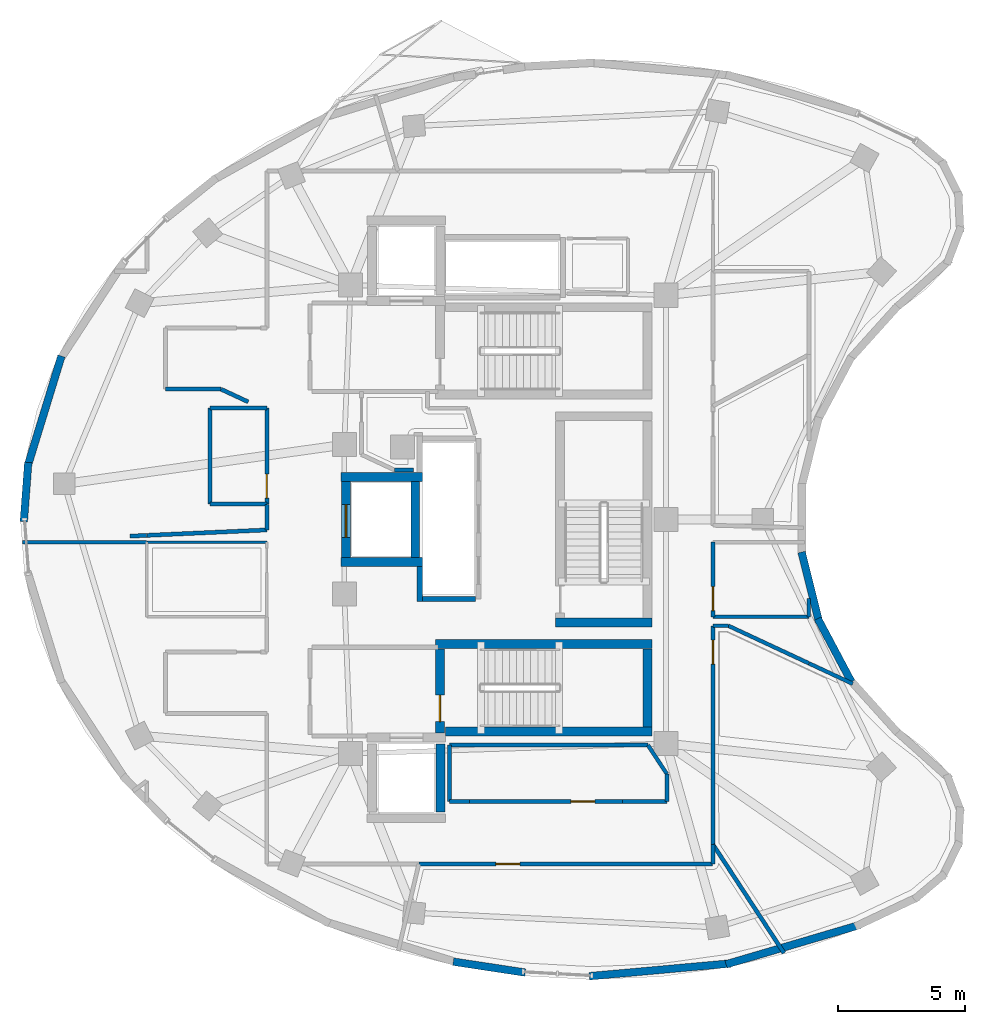
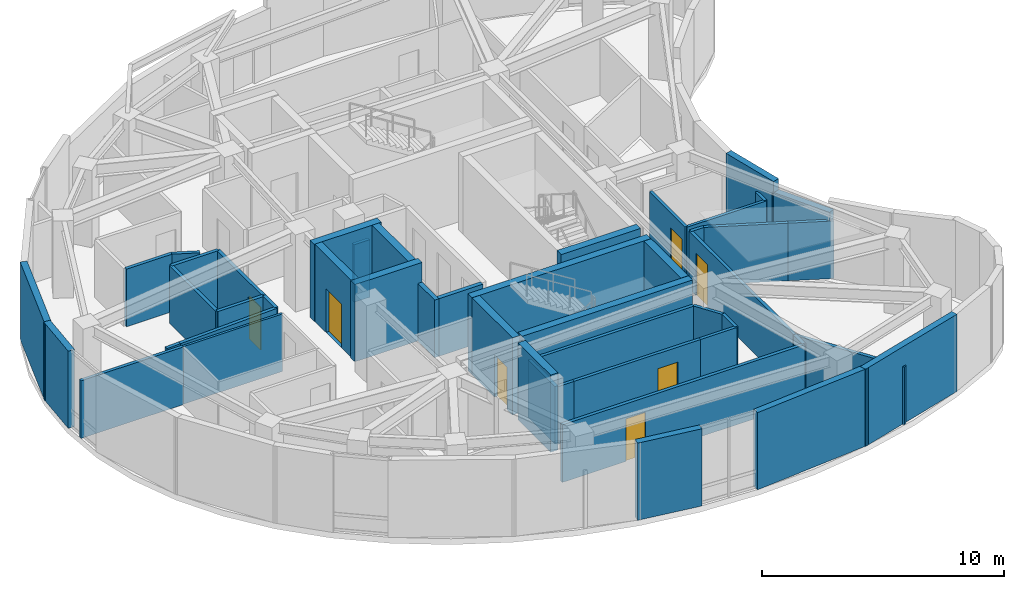
# One storey, part 4 of 8: 48 walls, 7 doors, 7 openings.
"""IFC4 building model written with IfcOpenShell, lengths in metres."""

from ifc_helpers import new_model, si_unit, direction, frame, frame_2d, origin, place, context, subcontext, project, spatial, rectangle, extrude, material, layer, layer_set, type_object, element, fill, save


model = new_model("IFC4")

# Units and contexts
model_context = context("Model", 3, precision=1e-05, world=origin(), true_north=direction((0.0, 1.0)))
body_context = subcontext(model_context, "Body", "Model", "MODEL_VIEW")
ifc_project = project(units=[si_unit("LENGTHUNIT", "METRE"), si_unit("AREAUNIT", "SQUARE_METRE"), si_unit("VOLUMEUNIT", "CUBIC_METRE"), si_unit("PLANEANGLEUNIT", "RADIAN"), si_unit("MASSUNIT", "GRAM", prefix="KILO")], contexts=[model_context])

# Site, building, storey
site_placement = place(None, origin())
site = spatial("IfcSite", under=ifc_project, at=site_placement, CompositionType="ELEMENT")
building_placement = place(site_placement, origin())
building = spatial("IfcBuilding", under=site, at=building_placement, Name="Korentha Bioscience Tower", CompositionType="ELEMENT")
storey_placement = place(building_placement, frame((0.0, 0.0, 310.199951171875)))
storey = spatial("IfcBuildingStorey", under=building, at=storey_placement, Name="L71", CompositionType="ELEMENT", Elevation=310.199951171875)

# Wall, opening, door
ifc_material_1 = material(Name="Double-Stud Acoustic Gypsum", Category="gypsum")
ifc_layer_1 = layer(ifc_material_1, 0.14990234375, Name="Double-Stud Acoustic Gypsum")
ifc_layer_set_1 = layer_set([ifc_layer_1], Name="Double-Stud Acoustic Gypsum (IW-L150)")
wall_type_1 = type_object("IfcWallType", Name="Acoustic Laboratory Partition Wall 150", PredefinedType="PARTITIONING", material=ifc_layer_set_1)
wall_1_placement = place(storey_placement, frame((35.840087890625, 15.860107421875, 0.0), z_axis=(0.0, 0.0, 1.0), x_axis=(-1.0, 0.0, 0.0)))
wall_1 = element("IfcWall", 1, at=wall_1_placement, inside=storey, type_object=wall_type_1, Name="L71 Biomechanical Motion Analysis Lab 04 Entrance Wall", PredefinedType="PARTITIONING", context=body_context, shape_type="SweptSolid", body=[
    extrude(rectangle(XDim=6.0400390625, YDim=0.14990234375, at=frame_2d((3.02001953125, 0.0))), origin(), (0.0, 0.0, 1.0), 2.91015625),
])
opening_1_placement = place(wall_1_placement, frame((1.090087890625, 0.0, 0.0)))
opening_1 = element("IfcOpeningElement", 2, at=opening_1_placement, cuts=wall_1, Name="Opening ID-10L", PredefinedType="OPENING", context=body_context, shape_type="SweptSolid", body=[
    extrude(rectangle(XDim=0.949951171875, YDim=2.14990234375, at=frame_2d((0.47509765625, 1.074951171875))), frame((0.0, 0.08984375, 0.0), z_axis=(0.0, -1.0, 0.0), x_axis=(1.0, 0.0, 0.0)), (0.0, 0.0, 1.0), 0.1796875),
])
ifc_material_2 = material(Name="Phenolic Laminate Timber Core", Category="wood")
door_type_1 = type_object("IfcDoorType", Name="Laboratory Single Leaf Door 950x2150 Left", OperationType="SINGLE_SWING_LEFT", PredefinedType="DOOR", material=ifc_material_2)
door_1_placement = place(opening_1_placement, origin())
door_1 = element("IfcDoor", 3, at=door_1_placement, inside=storey, type_object=door_type_1, Name="L71 Biomechanical Motion Analysis Lab 04 Door", OperationType="SINGLE_SWING_LEFT", OverallHeight=2.14990234375, OverallWidth=0.949951171875, PredefinedType="DOOR", context=body_context, shape_type="SweptSolid", body=[
    extrude(rectangle(XDim=0.949951171875, YDim=2.14990234375, at=frame_2d((0.47509765625, 1.074951171875))), frame((0.0, 0.02490234375, 0.0), z_axis=(0.0, -1.0, 0.0), x_axis=(1.0, 0.0, 0.0)), (0.0, 0.0, 1.0), 0.050048828125),
])
fill(opening_1, door_1)

wall_2_placement = place(storey_placement, frame((39.409912109375, 14.171142578125, 0.0), z_axis=(0.0, 0.0, 1.0), x_axis=(0.0, 1.0, 0.0)))
wall_2 = element("IfcWall", 4, at=wall_2_placement, inside=storey, type_object=wall_type_1, Name="L71 Robotic Liquid-Handling Suite 05 Entrance Wall", PredefinedType="PARTITIONING", context=body_context, shape_type="SweptSolid", body=[
    extrude(rectangle(XDim=8.626953125, YDim=0.14990234375, at=frame_2d((4.3134765625, 0.0))), origin(), (0.0, 0.0, 1.0), 2.91015625),
])
opening_2_placement = place(wall_2_placement, frame((7.11279296875, 0.0, 0.0)))
opening_2 = element("IfcOpeningElement", 5, at=opening_2_placement, cuts=wall_2, Name="Opening ID-10R", PredefinedType="OPENING", context=body_context, shape_type="SweptSolid", body=[
    extrude(rectangle(XDim=0.949951171875, YDim=2.14990234375, at=frame_2d((0.47509765625, 1.074951171875))), frame((0.0, 0.08984375, 0.0), z_axis=(0.0, -1.0, 0.0), x_axis=(1.0, 0.0, 0.0)), (0.0, 0.0, 1.0), 0.1796875),
])
door_type_2 = type_object("IfcDoorType", Name="Laboratory Single Leaf Door 950x2150 Right", OperationType="SINGLE_SWING_RIGHT", PredefinedType="DOOR", material=ifc_material_2)
door_2_placement = place(opening_2_placement, origin())
door_2 = element("IfcDoor", 6, at=door_2_placement, inside=storey, type_object=door_type_2, Name="L71 Robotic Liquid-Handling Suite 05 Door", OperationType="SINGLE_SWING_RIGHT", OverallHeight=2.14990234375, OverallWidth=0.949951171875, PredefinedType="DOOR", context=body_context, shape_type="SweptSolid", body=[
    extrude(rectangle(XDim=0.949951171875, YDim=2.14990234375, at=frame_2d((0.47509765625, 1.074951171875))), frame((0.0, 0.02490234375, 0.0), z_axis=(0.0, -1.0, 0.0), x_axis=(1.0, 0.0, 0.0)), (0.0, 0.0, 1.0), 0.050048828125),
])
fill(opening_2, door_2)

# Walls
wall_3_placement = place(storey_placement, frame((12.149658203125, 26.097900390625, 0.0), z_axis=(0.0, 0.0, 1.0), x_axis=(1.0, 0.0, 0.0)))
element("IfcWall", 7, at=wall_3_placement, inside=storey, type_object=wall_type_1, Name="L71 Interior Partition 023", PredefinedType="PARTITIONING", context=body_context, shape_type="SweptSolid", body=[
    extrude(rectangle(XDim=4.892333984375, YDim=0.14990234375, at=frame_2d((2.4462890625, 0.0))), origin(), (0.0, 0.0, 1.0), 2.91015625),
])
wall_4_placement = place(storey_placement, frame((29.0, 18.090087890625, 0.0), z_axis=(0.0, 0.0, 1.0), x_axis=(1.0, 0.0, 0.0)))
element("IfcWall", 8, at=wall_4_placement, inside=storey, type_object=wall_type_1, Name="L71 Interior Partition 034", PredefinedType="PARTITIONING", context=body_context, shape_type="SweptSolid", body=[
    extrude(rectangle(XDim=7.839111328125, YDim=0.14990234375, at=frame_2d((3.91943359375, 0.0))), origin(), (0.0, 0.0, 1.0), 2.91015625),
])
wall_5_placement = place(storey_placement, frame((36.839111328125, 18.090087890625, 0.0), z_axis=(0.0, 0.0, 1.0), x_axis=(0.547532289366, -0.836784555367, 0.0)))
element("IfcWall", 9, at=wall_5_placement, inside=storey, type_object=wall_type_1, Name="L71 Interior Partition 035", PredefinedType="PARTITIONING", context=body_context, shape_type="SweptSolid", body=[
    extrude(rectangle(XDim=1.37158203125, YDim=0.14990234375, at=frame_2d((0.685791015625, 0.0))), origin(), (0.0, 0.0, 1.0), 2.91015625),
])
wall_6_placement = place(storey_placement, frame((37.590087890625, 16.9423828125, 0.0), z_axis=(0.0, 0.0, 1.0), x_axis=(0.0, -1.0, 0.0)))
element("IfcWall", 10, at=wall_6_placement, inside=storey, type_object=wall_type_1, Name="L71 Interior Partition 036", PredefinedType="PARTITIONING", context=body_context, shape_type="SweptSolid", body=[
    extrude(rectangle(XDim=1.082275390625, YDim=0.14990234375, at=frame_2d((0.541015625, 0.0))), origin(), (0.0, 0.0, 1.0), 2.91015625),
])
wall_7_placement = place(storey_placement, frame((37.590087890625, 15.860107421875, 0.0), z_axis=(0.0, 0.0, 1.0), x_axis=(-1.0, 0.0, 0.0)))
element("IfcWall", 11, at=wall_7_placement, inside=storey, type_object=wall_type_1, Name="L71 Interior Partition 037", PredefinedType="PARTITIONING", context=body_context, shape_type="SweptSolid", body=[
    extrude(rectangle(XDim=1.75, YDim=0.14990234375, at=frame_2d((0.875, 0.0))), origin(), (0.0, 0.0, 1.0), 2.91015625),
])
wall_8_placement = place(storey_placement, frame((29.800048828125, 15.860107421875, 0.0), z_axis=(0.0, 0.0, 1.0), x_axis=(-1.0, 0.0, 0.0)))
element("IfcWall", 12, at=wall_8_placement, inside=storey, type_object=wall_type_1, Name="L71 Interior Partition 038", PredefinedType="PARTITIONING", context=body_context, shape_type="SweptSolid", body=[
    extrude(rectangle(XDim=0.800048828125, YDim=0.14990234375, at=frame_2d((0.39990234375, 0.0))), origin(), (0.0, 0.0, 1.0), 2.91015625),
])
wall_9_placement = place(storey_placement, frame((29.0, 15.860107421875, 0.0), z_axis=(0.0, 0.0, 1.0), x_axis=(0.0, 1.0, 0.0)))
element("IfcWall", 13, at=wall_9_placement, inside=storey, type_object=wall_type_1, Name="L71 Interior Partition 039", PredefinedType="PARTITIONING", context=body_context, shape_type="SweptSolid", body=[
    extrude(rectangle(XDim=2.22998046875, YDim=0.14990234375, at=frame_2d((1.114990234375, 0.0))), origin(), (0.0, 0.0, 1.0), 2.91015625),
])
wall_10_placement = place(storey_placement, frame((40.017578125, 22.798095703125, 0.0), z_axis=(0.0, 0.0, 1.0), x_axis=(0.906296857764, -0.42264169885, 0.0)))
element("IfcWall", 14, at=wall_10_placement, inside=storey, type_object=wall_type_1, Name="L71 Interior Partition 040", PredefinedType="PARTITIONING", context=body_context, shape_type="SweptSolid", body=[
    extrude(rectangle(XDim=3.50927734375, YDim=0.14990234375, at=frame_2d((1.754638671875, 0.0))), origin(), (0.0, 0.0, 1.0), 2.91015625),
])
wall_11_placement = place(storey_placement, frame((43.2021484375, 21.31298828125, 0.0), z_axis=(0.0, 0.0, 1.0), x_axis=(0.906281430475, -0.422674778969, 0.0)))
element("IfcWall", 15, at=wall_11_placement, inside=storey, type_object=wall_type_1, Name="L71 Interior Partition 041", PredefinedType="PARTITIONING", context=body_context, shape_type="SweptSolid", body=[
    extrude(rectangle(XDim=1.9033203125, YDim=0.14990234375, at=frame_2d((0.95166015625, 0.0))), origin(), (0.0, 0.0, 1.0), 2.91015625),
])
wall_12_placement = place(storey_placement, frame((39.409912109375, 22.798095703125, 0.0), z_axis=(0.0, 0.0, 1.0), x_axis=(1.0, 0.0, 0.0)))
element("IfcWall", 16, at=wall_12_placement, inside=storey, type_object=wall_type_1, Name="L71 Interior Partition 042", PredefinedType="PARTITIONING", context=body_context, shape_type="SweptSolid", body=[
    extrude(rectangle(XDim=0.607421875, YDim=0.14990234375, at=frame_2d((0.3037109375, 0.0))), origin(), (0.0, 0.0, 1.0), 2.91015625),
])
wall_13_placement = place(storey_placement, frame((27.590087890625, 28.949951171875, 0.0), z_axis=(0.0, 0.0, 1.0), x_axis=(-1.0, 0.0, 0.0)))
element("IfcWall", 17, at=wall_13_placement, inside=storey, type_object=wall_type_1, Name="L71 Interior Partition 055", PredefinedType="PARTITIONING", context=body_context, shape_type="SweptSolid", body=[
    extrude(rectangle(XDim=0.75634765625, YDim=0.14990234375, at=frame_2d((0.378173828125, 0.0))), origin(), (0.0, 0.0, 1.0), 2.91015625),
])

# Wall, opening, door
ifc_material_3 = material(Name="Insulated Aluminium Honeycomb Panel", Category="aluminium")
ifc_layer_2 = layer(ifc_material_3, 0.139892578125, Name="Insulated Aluminium Honeycomb Panel")
ifc_layer_set_2 = layer_set([ifc_layer_2], Name="Insulated Aluminium Honeycomb Panel (IW-F60)")
wall_type_2 = type_object("IfcWallType", Name="Cleanroom Flush Metal Panel Partition 140", PredefinedType="PARTITIONING", material=ifc_layer_set_2)
wall_14_placement = place(storey_placement, frame((39.409912109375, 23.152099609375, 0.0), z_axis=(0.0, 0.0, 1.0), x_axis=(0.0, 1.0, 0.0)))
wall_14 = element("IfcWall", 18, at=wall_14_placement, inside=storey, type_object=wall_type_2, Name="L71 Microfluidics Biochip Cleanroom 06 Entrance Wall", PredefinedType="PARTITIONING", context=body_context, shape_type="SweptSolid", body=[
    extrude(rectangle(XDim=2.94580078125, YDim=0.139892578125, at=frame_2d((1.472900390625, 0.0))), origin(), (0.0, 0.0, 1.0), 2.91015625),
])
opening_3_placement = place(wall_14_placement, frame((0.239990234375, 0.0, 0.0)))
opening_3 = element("IfcOpeningElement", 19, at=opening_3_placement, cuts=wall_14, Name="Opening ID-10L", PredefinedType="OPENING", context=body_context, shape_type="SweptSolid", body=[
    extrude(rectangle(XDim=0.949951171875, YDim=2.14990234375, at=frame_2d((0.47509765625, 1.074951171875))), frame((0.0, 0.0849609375, 0.0), z_axis=(0.0, -1.0, 0.0), x_axis=(1.0, 0.0, 0.0)), (0.0, 0.0, 1.0), 0.169677734375),
])
door_3_placement = place(opening_3_placement, origin())
door_3 = element("IfcDoor", 20, at=door_3_placement, inside=storey, type_object=door_type_1, Name="L71 Microfluidics Biochip Cleanroom 06 Door", OperationType="SINGLE_SWING_LEFT", OverallHeight=2.14990234375, OverallWidth=0.949951171875, PredefinedType="DOOR", context=body_context, shape_type="SweptSolid", body=[
    extrude(rectangle(XDim=0.949951171875, YDim=2.14990234375, at=frame_2d((0.47509765625, 1.074951171875))), frame((0.0, 0.02490234375, 0.0), z_axis=(0.0, -1.0, 0.0), x_axis=(1.0, 0.0, 0.0)), (0.0, 0.0, 1.0), 0.050048828125),
])
fill(opening_3, door_3)

# Walls
wall_15_placement = place(storey_placement, frame((43.197998046875, 23.882080078125, 0.0), z_axis=(0.0, 0.0, 1.0), x_axis=(0.0, -1.0, 0.0)))
element("IfcWall", 21, at=wall_15_placement, inside=storey, type_object=wall_type_2, Name="L71 Interior Partition 043", PredefinedType="PARTITIONING", context=body_context, shape_type="SweptSolid", body=[
    extrude(rectangle(XDim=0.72998046875, YDim=0.139892578125, at=frame_2d((0.364990234375, 0.0))), origin(), (0.0, 0.0, 1.0), 2.91015625),
])
wall_16_placement = place(storey_placement, frame((43.197998046875, 23.152099609375, 0.0), z_axis=(0.0, 0.0, 1.0), x_axis=(-1.0, 0.0, 0.0)))
element("IfcWall", 22, at=wall_16_placement, inside=storey, type_object=wall_type_2, Name="L71 Interior Partition 044", PredefinedType="PARTITIONING", context=body_context, shape_type="SweptSolid", body=[
    extrude(rectangle(XDim=3.7880859375, YDim=0.139892578125, at=frame_2d((1.89404296875, 0.0))), origin(), (0.0, 0.0, 1.0), 2.91015625),
])
ifc_material_4 = material(Name="Fire-Rated Framed Glass", Category="glass")
ifc_layer_3 = layer(ifc_material_4, 0.110107421875, Name="Fire-Rated Framed Glass")
ifc_layer_set_3 = layer_set([ifc_layer_3], Name="Fire-Rated Framed Glass (IW-G110)")
wall_type_3 = type_object("IfcWallType", Name="Demountable Glazed Office Partition 110", PredefinedType="MOVABLE", material=ifc_layer_set_3)
wall_17_placement = place(storey_placement, frame((17.052001953125, 26.097900390625, 0.0), z_axis=(0.0, 0.0, 1.0), x_axis=(1.0, 0.0, 0.0)))
element("IfcWall", 23, at=wall_17_placement, inside=storey, type_object=wall_type_3, Name="L71 Interior Partition 021", PredefinedType="MOVABLE", context=body_context, shape_type="SweptSolid", body=[
    extrude(rectangle(XDim=4.738037109375, YDim=0.110107421875, at=frame_2d((2.369140625, 0.0))), origin(), (0.0, 0.0, 1.0), 2.91015625),
])

# Wall, opening, door
ifc_material_5 = material(Name="Gypsum-Clad Steel Stud", Category="steel")
ifc_layer_4 = layer(ifc_material_5, 0.159912109375, Name="Gypsum-Clad Steel Stud")
ifc_layer_set_4 = layer_set([ifc_layer_4], Name="Gypsum-Clad Steel Stud (IW-C160)")
wall_type_4 = type_object("IfcWallType", Name="Fire-Rated Corridor Partition Wall 160", PredefinedType="PARTITIONING", material=ifc_layer_set_4)
wall_18_placement = place(storey_placement, frame((21.7900390625, 31.39990234375, 0.0), z_axis=(0.0, 0.0, 1.0), x_axis=(0.0, -1.0, 0.0)))
wall_18 = element("IfcWall", 24, at=wall_18_placement, inside=storey, type_object=wall_type_4, Name="L71 Reclaimed Bank-2 Telecoms and Data Store Entrance Wall", PredefinedType="PARTITIONING", context=body_context, shape_type="SweptSolid", body=[
    extrude(rectangle(XDim=3.7998046875, YDim=0.159912109375, at=frame_2d((1.89990234375, 0.0))), origin(), (0.0, 0.0, 1.0), 2.91015625),
])
opening_4_placement = place(wall_18_placement, frame((2.610107421875, 0.0, 0.0)))
opening_4 = element("IfcOpeningElement", 25, at=opening_4_placement, cuts=wall_18, Name="Opening ID-10L", PredefinedType="OPENING", context=body_context, shape_type="SweptSolid", body=[
    extrude(rectangle(XDim=0.949951171875, YDim=2.14990234375, at=frame_2d((0.47509765625, 1.074951171875))), frame((0.0, 0.0947265625, 0.0), z_axis=(0.0, -1.0, 0.0), x_axis=(1.0, 0.0, 0.0)), (0.0, 0.0, 1.0), 0.189697265625),
])
door_4_placement = place(opening_4_placement, origin())
door_4 = element("IfcDoor", 26, at=door_4_placement, inside=storey, type_object=door_type_1, Name="L71 Reclaimed Bank-2 Telecoms and Data Store Door", OperationType="SINGLE_SWING_LEFT", OverallHeight=2.14990234375, OverallWidth=0.949951171875, PredefinedType="DOOR", context=body_context, shape_type="SweptSolid", body=[
    extrude(rectangle(XDim=0.949951171875, YDim=2.14990234375, at=frame_2d((0.47509765625, 1.074951171875))), frame((0.0, 0.02490234375, 0.0), z_axis=(0.0, -1.0, 0.0), x_axis=(1.0, 0.0, 0.0)), (0.0, 0.0, 1.0), 0.050048828125),
])
fill(opening_4, door_4)

wall_19_placement = place(storey_placement, frame((27.801513671875, 13.389892578125, 0.0), z_axis=(0.0, 0.0, 1.0), x_axis=(1.0, 0.0, 0.0)))
wall_19 = element("IfcWall", 27, at=wall_19_placement, inside=storey, type_object=wall_type_4, Name="L71 Biospecimen Archive Store 03 Entrance Wall", PredefinedType="PARTITIONING", context=body_context, shape_type="SweptSolid", body=[
    extrude(rectangle(XDim=11.598388671875, YDim=0.159912109375, at=frame_2d((5.79931640625, 0.0))), origin(), (0.0, 0.0, 1.0), 2.91015625),
])
opening_5_placement = place(wall_19_placement, frame((3.03369140625, 0.0, 0.0)))
opening_5 = element("IfcOpeningElement", 28, at=opening_5_placement, cuts=wall_19, Name="Opening ID-10R", PredefinedType="OPENING", context=body_context, shape_type="SweptSolid", body=[
    extrude(rectangle(XDim=0.949951171875, YDim=2.14990234375, at=frame_2d((0.47509765625, 1.074951171875))), frame((0.0, 0.0947265625, 0.0), z_axis=(0.0, -1.0, 0.0), x_axis=(1.0, 0.0, 0.0)), (0.0, 0.0, 1.0), 0.189697265625),
])
door_5_placement = place(opening_5_placement, origin())
door_5 = element("IfcDoor", 29, at=door_5_placement, inside=storey, type_object=door_type_2, Name="L71 Biospecimen Archive Store 03 Door", OperationType="SINGLE_SWING_RIGHT", OverallHeight=2.14990234375, OverallWidth=0.949951171875, PredefinedType="DOOR", context=body_context, shape_type="SweptSolid", body=[
    extrude(rectangle(XDim=0.949951171875, YDim=2.14990234375, at=frame_2d((0.47509765625, 1.074951171875))), frame((0.0, 0.02490234375, 0.0), z_axis=(0.0, -1.0, 0.0), x_axis=(1.0, 0.0, 0.0)), (0.0, 0.0, 1.0), 0.050048828125),
])
fill(opening_5, door_5)

# Walls
wall_20_placement = place(storey_placement, frame((21.7900390625, 27.60009765625, 0.0), z_axis=(0.0, 0.0, 1.0), x_axis=(-1.0, 0.0, 0.0)))
element("IfcWall", 30, at=wall_20_placement, inside=storey, type_object=wall_type_4, Name="L71 Interior Partition 017", PredefinedType="PARTITIONING", context=body_context, shape_type="SweptSolid", body=[
    extrude(rectangle(XDim=2.239990234375, YDim=0.159912109375, at=frame_2d((1.1201171875, 0.0))), origin(), (0.0, 0.0, 1.0), 2.91015625),
])
wall_21_placement = place(storey_placement, frame((19.550048828125, 27.60009765625, 0.0), z_axis=(0.0, 0.0, 1.0), x_axis=(0.0, 1.0, 0.0)))
element("IfcWall", 31, at=wall_21_placement, inside=storey, type_object=wall_type_4, Name="L71 Interior Partition 018", PredefinedType="PARTITIONING", context=body_context, shape_type="SweptSolid", body=[
    extrude(rectangle(XDim=3.7998046875, YDim=0.159912109375, at=frame_2d((1.89990234375, 0.0))), origin(), (0.0, 0.0, 1.0), 2.91015625),
])
wall_22_placement = place(storey_placement, frame((19.550048828125, 31.39990234375, 0.0), z_axis=(0.0, 0.0, 1.0), x_axis=(1.0, 0.0, 0.0)))
element("IfcWall", 32, at=wall_22_placement, inside=storey, type_object=wall_type_4, Name="L71 Interior Partition 019", PredefinedType="PARTITIONING", context=body_context, shape_type="SweptSolid", body=[
    extrude(rectangle(XDim=2.239990234375, YDim=0.159912109375, at=frame_2d((1.1201171875, 0.0))), origin(), (0.0, 0.0, 1.0), 2.91015625),
])
wall_23_placement = place(storey_placement, frame((39.409912109375, 13.39990234375, 0.0), z_axis=(0.0, 0.0, 1.0), x_axis=(0.0, 1.0, 0.0)))
element("IfcWall", 33, at=wall_23_placement, inside=storey, type_object=wall_type_4, Name="L71 Interior Partition 032", PredefinedType="PARTITIONING", context=body_context, shape_type="SweptSolid", body=[
    extrude(rectangle(XDim=0.76123046875, YDim=0.159912109375, at=frame_2d((0.380615234375, 0.0))), origin(), (0.0, 0.0, 1.0), 2.91015625),
])
wall_24_placement = place(storey_placement, frame((39.409912109375, 14.1611328125, 0.0), z_axis=(0.0, 0.0, 1.0), x_axis=(0.547559006328, -0.836767073079, 0.0)))
element("IfcWall", 34, at=wall_24_placement, inside=storey, type_object=wall_type_4, Name="L71 Interior Partition 033", PredefinedType="PARTITIONING", context=body_context, shape_type="SweptSolid", body=[
    extrude(rectangle(XDim=5.119140625, YDim=0.159912109375, at=frame_2d((2.5595703125, 0.0))), origin(), (0.0, 0.0, 1.0), 2.91015625),
])
wall_25_placement = place(storey_placement, frame((17.800048828125, 32.139892578125, 0.0), z_axis=(0.0, 0.0, 1.0), x_axis=(1.0, 0.0, 0.0)))
element("IfcWall", 35, at=wall_25_placement, inside=storey, type_object=wall_type_4, Name="L71 Interior Partition 065", PredefinedType="PARTITIONING", context=body_context, shape_type="SweptSolid", body=[
    extrude(rectangle(XDim=2.183349609375, YDim=0.159912109375, at=frame_2d((1.091796875, 0.0))), origin(), (0.0, 0.0, 1.0), 2.91015625),
])
wall_26_placement = place(storey_placement, frame((19.9833984375, 32.139892578125, 0.0), z_axis=(0.0, 0.0, 1.0), x_axis=(0.906309623455, -0.422614323506, 0.0)))
element("IfcWall", 36, at=wall_26_placement, inside=storey, type_object=wall_type_4, Name="L71 Interior Partition 066", PredefinedType="PARTITIONING", context=body_context, shape_type="SweptSolid", body=[
    extrude(rectangle(XDim=1.18310546875, YDim=0.159912109375, at=frame_2d((0.591552734375, 0.0))), origin(), (0.0, 0.0, 1.0), 2.91015625),
])
wall_27_placement = place(storey_placement, frame((21.7900390625, 27.590087890625, 0.0), z_axis=(0.0, 0.0, 1.0), x_axis=(0.0, -1.0, 0.0)))
element("IfcWall", 37, at=wall_27_placement, inside=storey, type_object=wall_type_4, Name="L71 Interior Partition 067", PredefinedType="PARTITIONING", context=body_context, shape_type="SweptSolid", body=[
    extrude(rectangle(XDim=1.0068359375, YDim=0.159912109375, at=frame_2d((0.50341796875, 0.0))), origin(), (0.0, 0.0, 1.0), 2.91015625),
])
wall_28_placement = place(storey_placement, frame((21.7900390625, 26.583251953125, 0.0), z_axis=(0.0, 0.0, 1.0), x_axis=(-0.998971085975, -0.045351619434, 0.0)))
element("IfcWall", 38, at=wall_28_placement, inside=storey, type_object=wall_type_4, Name="L71 Interior Partition 068", PredefinedType="PARTITIONING", context=body_context, shape_type="SweptSolid", body=[
    extrude(rectangle(XDim=4.74267578125, YDim=0.159912109375, at=frame_2d((2.371337890625, 0.0))), origin(), (0.0, 0.0, 1.0), 2.91015625),
])
wall_29_placement = place(storey_placement, frame((17.0478515625, 26.367919921875, 0.0), z_axis=(0.0, 0.0, 1.0), x_axis=(-0.998964723802, -0.045491544253, 0.0)))
element("IfcWall", 39, at=wall_29_placement, inside=storey, type_object=wall_type_4, Name="L71 Interior Partition 069", PredefinedType="PARTITIONING", context=body_context, shape_type="SweptSolid", body=[
    extrude(rectangle(XDim=0.66015625, YDim=0.159912109375, at=frame_2d((0.330078125, 0.0))), origin(), (0.0, 0.0, 1.0), 2.91015625),
])
ifc_material_6 = material(Name="Honed Limestone Precast Concrete C40", Category="masonry")
ifc_layer_5 = layer(ifc_material_6, 0.300048828125, Name="Honed Limestone Precast Concrete C40")
ifc_layer_set_5 = layer_set([ifc_layer_5], Name="Honed Limestone Precast Concrete C40 (EW-ST300)")
wall_type_5 = type_object("IfcWallType", Name="Honed Limestone Cavity Spandrel Wall 300", PredefinedType="STANDARD", material=ifc_layer_set_5)
wall_30_placement = place(storey_placement, frame((13.681396484375, 33.448974609375, 0.0), z_axis=(0.0, 0.0, 1.0), x_axis=(-0.293311854667, -0.956016817797, 0.0)))
element("IfcWall", 40, at=wall_30_placement, inside=storey, type_object=wall_type_5, Name="L71 Limestone Perimeter Closure Wall 16", PredefinedType="STANDARD", context=body_context, shape_type="SweptSolid", body=[
    extrude(rectangle(XDim=4.5888671875, YDim=0.300048828125, at=frame_2d((2.29443359375, 0.0))), origin(), (0.0, 0.0, 1.0), 3.900146484375),
])
wall_31_placement = place(storey_placement, frame((12.37060546875, 29.248779296875, 0.0), z_axis=(0.0, 0.0, 1.0), x_axis=(-0.075040925575, -0.997180454827, 0.0)))
element("IfcWall", 41, at=wall_31_placement, inside=storey, type_object=wall_type_5, Name="L71 Limestone Perimeter Closure Wall 18", PredefinedType="STANDARD", context=body_context, shape_type="SweptSolid", body=[
    extrude(rectangle(XDim=2.345703125, YDim=0.300048828125, at=frame_2d((1.1728515625, 0.0))), origin(), (0.0, 0.0, 1.0), 3.900146484375),
])
wall_32_placement = place(storey_placement, frame((29.15380859375, 9.535400390625, 0.0), z_axis=(0.0, 0.0, 1.0), x_axis=(0.988626523862, -0.150391476873, 0.0)))
element("IfcWall", 42, at=wall_32_placement, inside=storey, type_object=wall_type_5, Name="L71 Limestone Perimeter Closure Wall 30", PredefinedType="STANDARD", context=body_context, shape_type="SweptSolid", body=[
    extrude(rectangle(XDim=2.875, YDim=0.300048828125, at=frame_2d((1.4375, 0.0))), origin(), (0.0, 0.0, 1.0), 3.900146484375),
])
wall_33_placement = place(storey_placement, frame((34.529296875, 8.960693359375, 0.0), z_axis=(0.0, 0.0, 1.0), x_axis=(0.995950163058, 0.089907022552, 0.0)))
element("IfcWall", 43, at=wall_33_placement, inside=storey, type_object=wall_type_5, Name="L71 Limestone Perimeter Closure Wall 32", PredefinedType="STANDARD", context=body_context, shape_type="SweptSolid", body=[
    extrude(rectangle(XDim=5.60205078125, YDim=0.300048828125, at=frame_2d((2.801025390625, 0.0))), origin(), (0.0, 0.0, 1.0), 3.900146484375),
])
wall_34_placement = place(storey_placement, frame((39.92529296875, 9.429443359375, 0.0), z_axis=(0.0, 0.0, 1.0), x_axis=(0.959276315934, 0.282469378321, 0.0)))
element("IfcWall", 44, at=wall_34_placement, inside=storey, type_object=wall_type_5, Name="L71 Limestone Perimeter Closure Wall 34", PredefinedType="STANDARD", context=body_context, shape_type="SweptSolid", body=[
    extrude(rectangle(XDim=5.495361328125, YDim=0.300048828125, at=frame_2d((2.74755859375, 0.0))), origin(), (0.0, 0.0, 1.0), 3.900146484375),
])
wall_35_placement = place(storey_placement, frame((44.876708984375, 20.583740234375, 0.0), z_axis=(0.0, 0.0, 1.0), x_axis=(-0.469445489529, 0.882961455761, 0.0)))
element("IfcWall", 45, at=wall_35_placement, inside=storey, type_object=wall_type_5, Name="L71 Limestone Perimeter Closure Wall 45", PredefinedType="STANDARD", context=body_context, shape_type="SweptSolid", body=[
    extrude(rectangle(XDim=2.82861328125, YDim=0.300048828125, at=frame_2d((1.414306640625, 0.0))), origin(), (0.0, 0.0, 1.0), 3.342041015625),
])
wall_36_placement = place(storey_placement, frame((43.593505859375, 22.96484375, 0.0), z_axis=(0.0, 0.0, 1.0), x_axis=(-0.241926331659, 0.970294620231, 0.0)))
element("IfcWall", 46, at=wall_36_placement, inside=storey, type_object=wall_type_5, Name="L71 Limestone Perimeter Closure Wall 47", PredefinedType="STANDARD", context=body_context, shape_type="SweptSolid", body=[
    extrude(rectangle(XDim=2.82861328125, YDim=0.300048828125, at=frame_2d((1.414306640625, 0.0))), origin(), (0.0, 0.0, 1.0), 3.900146484375),
])
ifc_material_7 = material(Name="Autoclaved Aerated Concrete Block C25", Category="concrete")
ifc_layer_6 = layer(ifc_material_7, 0.199951171875, Name="Autoclaved Aerated Concrete Block C25")
ifc_layer_set_6 = layer_set([ifc_layer_6], Name="Autoclaved Aerated Concrete Block C25 (IW-S200)")
wall_type_6 = type_object("IfcWallType", Name="Lift and Riser Shaft Enclosure Wall 200", PredefinedType="PARTITIONING", material=ifc_layer_set_6)
wall_37_placement = place(storey_placement, frame((27.830078125, 23.75, 0.0), z_axis=(0.0, 0.0, 1.0), x_axis=(0.0, 1.0, 0.0)))
element("IfcWall", 47, at=wall_37_placement, inside=storey, type_object=wall_type_6, Name="L71 Lift Bank HIGH Shaft Wall -XS", PredefinedType="PARTITIONING", context=body_context, shape_type="SweptSolid", body=[
    extrude(rectangle(XDim=1.39111328125, YDim=0.199951171875, at=frame_2d((0.695556640625, 0.0))), origin(), (0.0, 0.0, 1.0), 2.91015625),
])
wall_38_placement = place(storey_placement, frame((27.93408203125, 23.85009765625, 0.0), z_axis=(0.0, 0.0, 1.0), x_axis=(1.0, 0.0, 0.0)))
element("IfcWall", 48, at=wall_38_placement, inside=storey, type_object=wall_type_6, Name="L71 Lift Bank HIGH Shaft Wall -Y", PredefinedType="PARTITIONING", context=body_context, shape_type="SweptSolid", body=[
    extrude(rectangle(XDim=2.095947265625, YDim=0.199951171875, at=frame_2d((1.0478515625, 0.0))), origin(), (0.0, 0.0, 1.0), 2.91015625),
])
ifc_material_8 = material(Name="Concrete C50", Category="concrete")
ifc_layer_7 = layer(ifc_material_8, 0.35009765625, Name="Concrete C50")
ifc_layer_set_7 = layer_set([ifc_layer_7], Name="Concrete C50 (CW-C50)")
wall_type_7 = type_object("IfcWallType", Name="Upper Core Shear Wall 350", PredefinedType="SHEAR", material=ifc_layer_set_7)
wall_39_placement = place(storey_placement, frame((28.85205078125, 18.625, 0.0), z_axis=(0.0, 0.0, 1.0), x_axis=(1.0, 0.0, 0.0)))
element("IfcWall", 49, at=wall_39_placement, inside=storey, type_object=wall_type_7, Name="L71 Core Shear Wall ST2-S", PredefinedType="SHEAR", context=body_context, shape_type="SweptSolid", body=[
    extrude(rectangle(XDim=8.14794921875, YDim=0.35009765625, at=frame_2d((4.073974609375, 0.0))), origin(), (0.0, 0.0, 1.0), 3.900146484375),
])
wall_40_placement = place(storey_placement, frame((28.449951171875, 22.074951171875, 0.0), z_axis=(0.0, 0.0, 1.0), x_axis=(1.0, 0.0, 0.0)))
element("IfcWall", 50, at=wall_40_placement, inside=storey, type_object=wall_type_7, Name="L71 Core Shear Wall ST2-N", PredefinedType="SHEAR", context=body_context, shape_type="SweptSolid", body=[
    extrude(rectangle(XDim=8.550048828125, YDim=0.35009765625, at=frame_2d((4.27490234375, 0.0))), origin(), (0.0, 0.0, 1.0), 3.900146484375),
])
wall_41_placement = place(storey_placement, frame((36.824951171875, 18.81005859375, 0.0), z_axis=(0.0, 0.0, 1.0), x_axis=(0.0, 1.0, 0.0)))
element("IfcWall", 51, at=wall_41_placement, inside=storey, type_object=wall_type_7, Name="L71 Core Shear Wall ST2-E", PredefinedType="SHEAR", context=body_context, shape_type="SweptSolid", body=[
    extrude(rectangle(XDim=3.079833984375, YDim=0.35009765625, at=frame_2d((1.5400390625, 0.0))), origin(), (0.0, 0.0, 1.0), 3.900146484375),
])

# Wall, opening, door
wall_42_placement = place(storey_placement, frame((28.625, 18.556884765625, 0.0), z_axis=(0.0, 0.0, 1.0), x_axis=(0.0, 1.0, 0.0)))
wall_42 = element("IfcWall", 52, at=wall_42_placement, inside=storey, type_object=wall_type_7, Name="L71 Core Shear Wall ST2-W", PredefinedType="SHEAR", context=body_context, shape_type="SweptSolid", body=[
    extrude(rectangle(XDim=3.3330078125, YDim=0.35009765625, at=frame_2d((1.66650390625, 0.0))), origin(), (0.0, 0.0, 1.0), 3.900146484375),
])
opening_6_placement = place(wall_42_placement, frame((0.452880859375, 0.0, 0.0)))
opening_6 = element("IfcOpeningElement", 53, at=opening_6_placement, cuts=wall_42, Name="Opening FD-90R", PredefinedType="OPENING", context=body_context, shape_type="SweptSolid", body=[
    extrude(rectangle(XDim=1.050048828125, YDim=2.14990234375, at=frame_2d((0.52490234375, 1.074951171875))), frame((0.0, 0.18994140625, 0.0), z_axis=(0.0, -1.0, 0.0), x_axis=(1.0, 0.0, 0.0)), (0.0, 0.0, 1.0), 0.3798828125),
])
ifc_material_9 = material(Name="Powder-Coated Fire-Rated Steel", Category="steel")
door_type_3 = type_object("IfcDoorType", Name="Stairwell Fire Exit Door 1050x2150 Right", OperationType="SINGLE_SWING_RIGHT", PredefinedType="DOOR", material=ifc_material_9)
door_6_placement = place(opening_6_placement, origin())
door_6 = element("IfcDoor", 54, at=door_6_placement, inside=storey, type_object=door_type_3, Name="L71 ST-2 Fire Exit Stair Door", OperationType="SINGLE_SWING_RIGHT", OverallHeight=2.14990234375, OverallWidth=1.050048828125, PredefinedType="DOOR", context=body_context, shape_type="SweptSolid", body=[
    extrude(rectangle(XDim=1.050048828125, YDim=2.14990234375, at=frame_2d((0.52490234375, 1.074951171875))), frame((0.0, 0.02490234375, 0.0), z_axis=(0.0, -1.0, 0.0), x_axis=(1.0, 0.0, 0.0)), (0.0, 0.0, 1.0), 0.050048828125),
])
fill(opening_6, door_6)

# Walls
wall_43_placement = place(storey_placement, frame((33.199951171875, 22.925048828125, 0.0), z_axis=(0.0, 0.0, 1.0), x_axis=(1.0, 0.0, 0.0)))
element("IfcWall", 55, at=wall_43_placement, inside=storey, type_object=wall_type_7, Name="L71 Core Shear Wall ST3-S", PredefinedType="SHEAR", context=body_context, shape_type="SweptSolid", body=[
    extrude(rectangle(XDim=3.800048828125, YDim=0.35009765625, at=frame_2d((1.89990234375, 0.0))), origin(), (0.0, 0.0, 1.0), 3.900146484375),
])
wall_44_placement = place(storey_placement, frame((28.64990234375, 15.43994140625, 0.0), z_axis=(0.0, 0.0, 1.0), x_axis=(0.0, 1.0, 0.0)))
element("IfcWall", 56, at=wall_44_placement, inside=storey, type_object=wall_type_7, Name="L71 Core Shear Wall FFL1-E", PredefinedType="SHEAR", context=body_context, shape_type="SweptSolid", body=[
    extrude(rectangle(XDim=2.699951171875, YDim=0.35009765625, at=frame_2d((1.35009765625, 0.0))), origin(), (0.0, 0.0, 1.0), 3.900146484375),
])
for number, where, z_axis, x_axis, name in (
    (57, (24.719970703125, 28.679931640625, 0.0), (0.0, 0.0, 1.0), (1.0, 0.0, 0.0), "L71 Core Shear Wall SVL1-N"),
    (58, (24.719970703125, 25.320068359375, 0.0), (0.0, 0.0, 1.0), (1.0, 0.0, 0.0), "L71 Core Shear Wall SVL1-S"),
):
    element("IfcWall", number, at=place(storey_placement, frame(where, z_axis=z_axis, x_axis=x_axis)), inside=storey, type_object=wall_type_7, Name=name, PredefinedType="SHEAR", context=body_context, shape_type="SweptSolid", body=[
        extrude(rectangle(XDim=3.2099609375, YDim=0.35009765625, at=frame_2d((1.60498046875, 0.0))), origin(), (0.0, 0.0, 1.0), 3.900146484375),
    ])

# Wall, opening, door
wall_45_placement = place(storey_placement, frame((24.919921875, 25.4970703125, 0.0), z_axis=(0.0, 0.0, 1.0), x_axis=(0.0, 1.0, 0.0)))
wall_45 = element("IfcWall", 59, at=wall_45_placement, inside=storey, type_object=wall_type_7, Name="L71 Core Shear Wall SVL1-W", PredefinedType="SHEAR", context=body_context, shape_type="SweptSolid", body=[
    extrude(rectangle(XDim=3.005859375, YDim=0.35009765625, at=frame_2d((1.5029296875, 0.0))), origin(), (0.0, 0.0, 1.0), 3.900146484375),
])
opening_7_placement = place(wall_45_placement, frame((0.7900390625, 0.0, 0.0)))
opening_7 = element("IfcOpeningElement", 60, at=opening_7_placement, cuts=wall_45, Name="Opening LD-13", PredefinedType="OPENING", context=body_context, shape_type="SweptSolid", body=[
    extrude(rectangle(XDim=1.300048828125, YDim=2.199951171875, at=frame_2d((0.64990234375, 1.10009765625))), frame((0.0, 0.18994140625, 0.0), z_axis=(0.0, -1.0, 0.0), x_axis=(1.0, 0.0, 0.0)), (0.0, 0.0, 1.0), 0.3798828125),
])
ifc_material_10 = material(Name="Brushed Stainless Steel 316", Category="steel")
door_type_4 = type_object("IfcDoorType", Name="Service & Firefighting Lift Landing Door 1300x2300", OperationType="DOUBLE_DOOR_SLIDING", PredefinedType="DOOR", material=ifc_material_10)
door_7_placement = place(opening_7_placement, origin())
door_7 = element("IfcDoor", 61, at=door_7_placement, inside=storey, type_object=door_type_4, Name="L71 SVL-1 Sliding Lift Landing Door", OperationType="DOUBLE_DOOR_SLIDING", OverallHeight=2.199951171875, OverallWidth=1.300048828125, PredefinedType="DOOR", context=body_context, shape_type="SweptSolid", body=[
    extrude(rectangle(XDim=1.300048828125, YDim=2.199951171875, at=frame_2d((0.64990234375, 1.10009765625))), frame((0.0, 0.02490234375, 0.0), z_axis=(0.0, -1.0, 0.0), x_axis=(1.0, 0.0, 0.0)), (0.0, 0.0, 1.0), 0.050048828125),
])
fill(opening_7, door_7)

# Wall
wall_46_placement = place(storey_placement, frame((27.64990234375, 25.4970703125, 0.0), z_axis=(0.0, 0.0, 1.0), x_axis=(0.0, 1.0, 0.0)))
element("IfcWall", 62, at=wall_46_placement, inside=storey, type_object=wall_type_7, Name="L71 Core Shear Wall SVL1-E", PredefinedType="SHEAR", context=body_context, shape_type="SweptSolid", body=[
    extrude(rectangle(XDim=3.005859375, YDim=0.35009765625, at=frame_2d((1.5029296875, 0.0))), origin(), (0.0, 0.0, 1.0), 3.900146484375),
])

save(model, "model.ifc")
